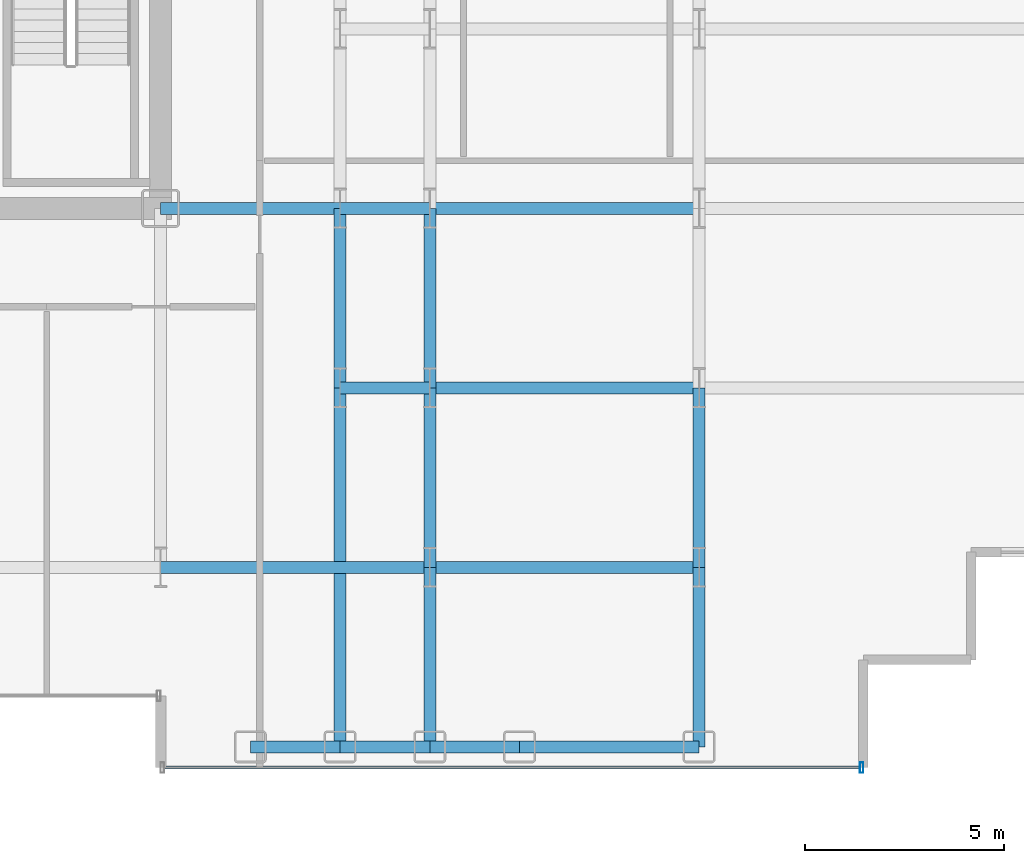
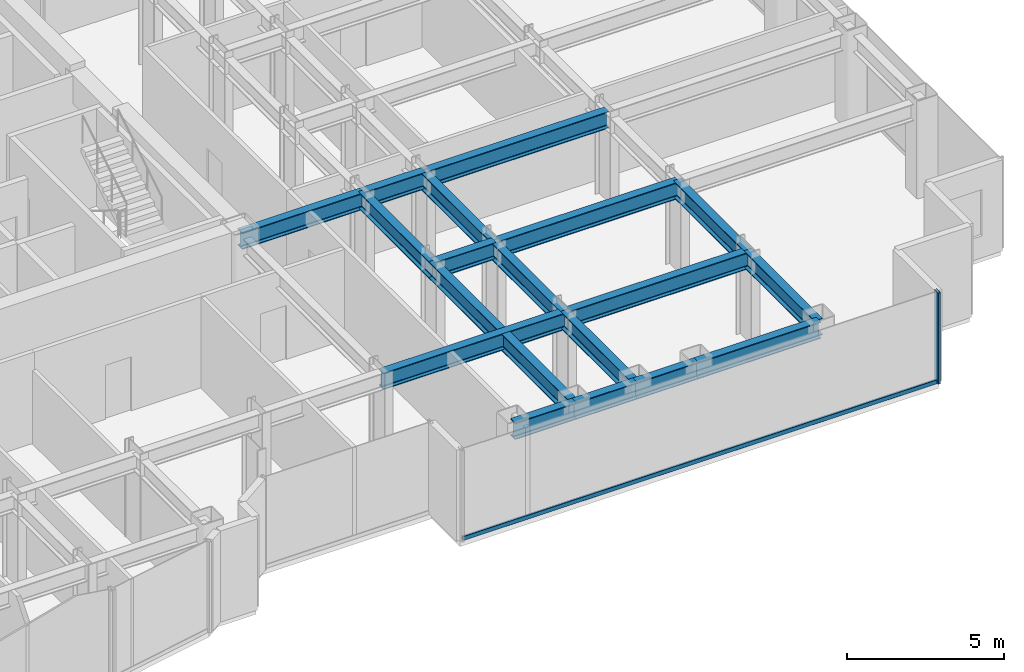
# One storey, part 7 of 26: 18 beams, 2 members, 1 element without a shape of its own.
"""IFC4 building model written with IfcOpenShell, lengths in metres."""

from ifc_helpers import new_model, si_unit, direction, frame, origin, origin_2d, place, context, subcontext, project, spatial, hollow_rectangle, i_section, extrude, source, transform, mapped, material, layer, layer_set, material_profile, profile_set, type_object, element, aggregate, save


model = new_model("IFC4")

# Units and contexts
model_context = context("Model", 3, precision=1e-05, world=origin(), true_north=direction((0.0, 1.0)))
body_context = subcontext(model_context, "Body", "Model", "MODEL_VIEW")
ifc_project = project(units=[si_unit("LENGTHUNIT", "METRE"), si_unit("AREAUNIT", "SQUARE_METRE"), si_unit("VOLUMEUNIT", "CUBIC_METRE"), si_unit("PLANEANGLEUNIT", "RADIAN"), si_unit("MASSUNIT", "GRAM", prefix="KILO")], contexts=[model_context])

# Site, building, storey
site_placement = place(None, origin())
site = spatial("IfcSite", under=ifc_project, at=site_placement, CompositionType="ELEMENT")
building_placement = place(site_placement, origin())
building = spatial("IfcBuilding", under=site, at=building_placement, Name="Nefas-Gora Pilgrimage Tower", CompositionType="ELEMENT")
storey_placement = place(building_placement, frame((0.0, 0.0, 121.199951171875)))
storey = spatial("IfcBuildingStorey", under=building, at=storey_placement, Name="L29", CompositionType="ELEMENT", Elevation=121.199951171875)

# Beams
ifc_material_1 = material(Name="Steel S355", Category="steel")
ifc_material_profile_1 = material_profile(ifc_material_1, i_section(OverallWidth=0.300048828125, OverallDepth=0.64990234375, WebThickness=0.01611328125, FlangeThickness=0.031005859375, FilletRadius=0.027099609375, at=origin_2d()), Name="HEB 650")
ifc_profile_set_1 = profile_set([ifc_material_profile_1], Name="Steel S355")
beam_type_1 = type_object("IfcBeamType", Name="BM-SPN-HEB500", PredefinedType="SPANDREL", material=ifc_profile_set_1)
shared_shape_1 = source(origin(), body_context, "Body", "SweptSolid", [
    extrude(i_section(OverallWidth=0.300048828125, OverallDepth=0.64990234375, WebThickness=0.01611328125, FlangeThickness=0.031005859375, FilletRadius=0.027099609375, at=origin_2d()), origin(), (0.0, 0.0, 1.0), 4.5),
])
beam_1_placement = place(storey_placement, frame((20.25, -22.5, 3.22509765625), z_axis=(1.0, 0.0, 0.0), x_axis=(0.0, 1.0, 0.0)))
element("IfcBeam", 1, at=beam_1_placement, inside=storey, type_object=beam_type_1, Name="L29 SP-02 beam", PredefinedType="SPANDREL", context=body_context, shape_type="MappedRepresentation", body=[
    mapped(shared_shape_1, transform((0.0, 0.0, 0.0), x_axis=(1.0, 0.0, 0.0), y_axis=(0.0, 1.0, 0.0), z_axis=(0.0, 0.0, 1.0), scale=1.0)),
])
ifc_material_profile_2 = material_profile(ifc_material_1, i_section(OverallWidth=0.300048828125, OverallDepth=0.64990234375, WebThickness=0.01611328125, FlangeThickness=0.031005859375, FilletRadius=0.027099609375, at=origin_2d()), Name="HEB 650")
ifc_profile_set_2 = profile_set([ifc_material_profile_2], Name="Steel S355")
beam_type_2 = type_object("IfcBeamType", Name="BM-GIR-HEB650", PredefinedType="BEAM", material=ifc_profile_set_2)
shared_shape_2 = source(origin(), body_context, "Body", "SweptSolid", [
    extrude(i_section(OverallWidth=0.300048828125, OverallDepth=0.64990234375, WebThickness=0.01611328125, FlangeThickness=0.031005859375, FilletRadius=0.027099609375, at=origin_2d()), origin(), (0.0, 0.0, 1.0), 9.0),
])
beam_2_placement = place(storey_placement, frame((15.75, -22.5, 3.22509765625), z_axis=(0.0, 1.0, 0.0), x_axis=(-1.0, 0.0, 0.0)))
element("IfcBeam", 2, at=beam_2_placement, inside=storey, type_object=beam_type_2, Name="L29 G-03 beam", PredefinedType="BEAM", context=body_context, shape_type="MappedRepresentation", body=[
    mapped(shared_shape_2, transform((0.0, 0.0, 0.0), x_axis=(1.0, 0.0, 0.0), y_axis=(0.0, 1.0, 0.0), z_axis=(0.0, 0.0, 1.0), scale=1.0)),
])
shared_shape_3 = source(origin(), body_context, "Body", "SweptSolid", [
    extrude(i_section(OverallWidth=0.300048828125, OverallDepth=0.64990234375, WebThickness=0.01611328125, FlangeThickness=0.031005859375, FilletRadius=0.027099609375, at=origin_2d()), origin(), (0.0, 0.0, 1.0), 4.5),
])
for number, where, z_axis, x_axis, name in (
    (3, (11.25, -9.0, 3.22509765625), (1.0, 0.0, 0.0), (0.0, 1.0, 0.0), "L29 G-03 beam"),
    (4, (15.75, -13.5, 3.22509765625), (0.0, 1.0, 0.0), (-1.0, 0.0, 0.0), "L29 G-03 beam"),
    (5, (18.0, -22.5, 3.22509765625), (0.0, 1.0, 0.0), (-1.0, 0.0, 0.0), "L29 G-03 beam"),
    (6, (18.0, -18.0, 3.22509765625), (0.0, 1.0, 0.0), (-1.0, 0.0, 0.0), "L29 G-03 beam"),
    (7, (18.0, -13.5, 3.22509765625), (0.0, 1.0, 0.0), (-1.0, 0.0, 0.0), "L29 G-03 beam"),
    (8, (24.75, -22.5, 3.22509765625), (0.0, 1.0, 0.0), (-1.0, 0.0, 0.0), "L29 G-03 beam"),
    (9, (24.75, -18.0, 3.22509765625), (0.0, 1.0, 0.0), (-1.0, 0.0, 0.0), "L29 G-03 beam"),
):
    element("IfcBeam", number, at=place(storey_placement, frame(where, z_axis=z_axis, x_axis=x_axis)), inside=storey, type_object=beam_type_2, Name=name, PredefinedType="BEAM", context=body_context, shape_type="MappedRepresentation", body=[
        mapped(shared_shape_3, transform((0.0, 0.0, 0.0), x_axis=(1.0, 0.0, 0.0), y_axis=(0.0, 1.0, 0.0), z_axis=(0.0, 0.0, 1.0), scale=1.0)),
    ])
shared_shape_4 = source(origin(), body_context, "Body", "SweptSolid", [
    extrude(i_section(OverallWidth=0.300048828125, OverallDepth=0.64990234375, WebThickness=0.01611328125, FlangeThickness=0.031005859375, FilletRadius=0.027099609375, at=origin_2d()), origin(), (0.0, 0.0, 1.0), 6.75),
])
for number, where, z_axis, x_axis, name in (
    (10, (11.25, -18.0, 3.22509765625), (1.0, 0.0, 0.0), (0.0, 1.0, 0.0), "L29 G-03 beam"),
    (11, (18.0, -18.0, 3.22509765625), (1.0, 0.0, 0.0), (0.0, 1.0, 0.0), "L29 G-03 beam"),
    (12, (18.0, -13.5, 3.22509765625), (1.0, 0.0, 0.0), (0.0, 1.0, 0.0), "L29 G-03 beam"),
    (13, (18.0, -9.0, 3.22509765625), (1.0, 0.0, 0.0), (0.0, 1.0, 0.0), "L29 G-03 beam"),
):
    element("IfcBeam", number, at=place(storey_placement, frame(where, z_axis=z_axis, x_axis=x_axis)), inside=storey, type_object=beam_type_2, Name=name, PredefinedType="BEAM", context=body_context, shape_type="MappedRepresentation", body=[
        mapped(shared_shape_4, transform((0.0, 0.0, 0.0), x_axis=(1.0, 0.0, 0.0), y_axis=(0.0, 1.0, 0.0), z_axis=(0.0, 0.0, 1.0), scale=1.0)),
    ])
shared_shape_5 = source(origin(), body_context, "Body", "SweptSolid", [
    extrude(i_section(OverallWidth=0.300048828125, OverallDepth=0.64990234375, WebThickness=0.01611328125, FlangeThickness=0.031005859375, FilletRadius=0.027099609375, at=origin_2d()), origin(), (0.0, 0.0, 1.0), 2.25),
])
for number, where, z_axis, x_axis, name in (
    (14, (13.5, -22.5, 3.22509765625), (1.0, 0.0, 0.0), (0.0, 1.0, 0.0), "L29 SP-02 beam"),
    (15, (15.75, -22.5, 3.22509765625), (1.0, 0.0, 0.0), (0.0, 1.0, 0.0), "L29 SP-02 beam"),
    (16, (18.0, -22.5, 3.22509765625), (1.0, 0.0, 0.0), (0.0, 1.0, 0.0), "L29 SP-02 beam"),
):
    element("IfcBeam", number, at=place(storey_placement, frame(where, z_axis=z_axis, x_axis=x_axis)), inside=storey, type_object=beam_type_1, Name=name, PredefinedType="SPANDREL", context=body_context, shape_type="MappedRepresentation", body=[
        mapped(shared_shape_5, transform((0.0, 0.0, 0.0), x_axis=(1.0, 0.0, 0.0), y_axis=(0.0, 1.0, 0.0), z_axis=(0.0, 0.0, 1.0), scale=1.0)),
    ])
shared_shape_6 = source(origin(), body_context, "Body", "SweptSolid", [
    extrude(i_section(OverallWidth=0.300048828125, OverallDepth=0.64990234375, WebThickness=0.01611328125, FlangeThickness=0.031005859375, FilletRadius=0.027099609375, at=origin_2d()), origin(), (0.0, 0.0, 1.0), 2.25),
])
for number, where, z_axis, x_axis, name in (
    (17, (15.75, -13.5, 3.22509765625), (1.0, 0.0, 0.0), (0.0, 1.0, 0.0), "L29 G-03 beam"),
    (18, (15.75, -9.0, 3.22509765625), (1.0, 0.0, 0.0), (0.0, 1.0, 0.0), "L29 G-03 beam"),
):
    element("IfcBeam", number, at=place(storey_placement, frame(where, z_axis=z_axis, x_axis=x_axis)), inside=storey, type_object=beam_type_2, Name=name, PredefinedType="BEAM", context=body_context, shape_type="MappedRepresentation", body=[
        mapped(shared_shape_6, transform((0.0, 0.0, 0.0), x_axis=(1.0, 0.0, 0.0), y_axis=(0.0, 1.0, 0.0), z_axis=(0.0, 0.0, 1.0), scale=1.0)),
    ])

# Curtain wall, members
ifc_material_2 = material(Name="Dark ceramic-fritted solar-control aluminium-glass curtain wall", Category="aluminium")
ifc_layer = layer(ifc_material_2, 0.219970703125)
ifc_layer_set = layer_set([ifc_layer], Name="Dark ceramic-fritted solar-control aluminium-glass curtain wall")
curtain_wall_type = type_object("IfcCurtainWallType", Name="CW-SYS-2", PredefinedType="NOTDEFINED", material=ifc_layer_set)
curtain_wall_placement = place(storey_placement, origin())
curtain_wall = element("IfcCurtainWall", 19, at=curtain_wall_placement, inside=storey, type_object=curtain_wall_type, Name="L29 Unitised Curtain Wall CW2", PredefinedType="NOTDEFINED")
ifc_material_3 = material(Name="Anodised architectural aluminium", Category="aluminium")
ifc_material_profile_3 = material_profile(ifc_material_3, hollow_rectangle(XDim=0.090087890625, YDim=0.260009765625, WallThickness=0.006103515625, InnerFilletRadius=0.006103515625, OuterFilletRadius=0.011962890625, at=origin_2d()), Name="ALU MULLION 90x260")
ifc_profile_set_3 = profile_set([ifc_material_profile_3], Name="Anodised architectural aluminium")
member_type_1 = type_object("IfcMemberType", Name="CWM-MUL-2", PredefinedType="MULLION", material=ifc_profile_set_3)
shared_shape_7 = source(origin(), body_context, "Body", "SweptSolid", [
    extrude(hollow_rectangle(XDim=0.090087890625, YDim=0.260009765625, WallThickness=0.006103515625, InnerFilletRadius=0.006103515625, OuterFilletRadius=0.011962890625, at=origin_2d()), origin(), (0.0, 0.0, 1.0), 3.550048828125),
])
member_1_placement = place(storey_placement, frame((28.824951171875, -23.02001953125, 0.0), z_axis=(0.0, 0.0, 1.0), x_axis=(1.0, 0.0, 0.0)))
member_1 = element("IfcMember", 20, at=member_1_placement, type_object=member_type_1, Name="CW2 Mullion 2", PredefinedType="MULLION", context=body_context, shape_type="MappedRepresentation", body=[
    mapped(shared_shape_7, transform((0.0, 0.0, 0.0), x_axis=(1.0, 0.0, 0.0), y_axis=(0.0, 1.0, 0.0), z_axis=(0.0, 0.0, 1.0), scale=1.0)),
])
ifc_material_profile_4 = material_profile(ifc_material_3, hollow_rectangle(XDim=0.080078125, YDim=0.159912109375, WallThickness=0.00439453125, InnerFilletRadius=0.00439453125, OuterFilletRadius=0.009033203125, at=origin_2d()), Name="ALU TRANSOM 80x160")
ifc_profile_set_4 = profile_set([ifc_material_profile_4], Name="Anodised architectural aluminium")
member_type_2 = type_object("IfcMemberType", Name="CWM-TRN-2", PredefinedType="USERDEFINED", material=ifc_profile_set_4)
shared_shape_8 = source(origin(), body_context, "Body", "SweptSolid", [
    extrude(hollow_rectangle(XDim=0.080078125, YDim=0.159912109375, WallThickness=0.00439453125, InnerFilletRadius=0.00439453125, OuterFilletRadius=0.009033203125, at=origin_2d()), origin(), (0.0, 0.0, 1.0), 17.43994140625),
])
member_2_placement = place(storey_placement, frame((11.340087890625, -23.02001953125, 0.050048828125), z_axis=(1.0, 0.0, 0.0), x_axis=(0.0, 1.0, 0.0)))
member_2 = element("IfcMember", 21, at=member_2_placement, type_object=member_type_2, Name="CW2 Spandrel Transom", ObjectType="TRANSOM", PredefinedType="USERDEFINED", context=body_context, shape_type="MappedRepresentation", body=[
    mapped(shared_shape_8, transform((0.0, 0.0, 0.0), x_axis=(1.0, 0.0, 0.0), y_axis=(0.0, 1.0, 0.0), z_axis=(0.0, 0.0, 1.0), scale=1.0)),
])
aggregate(curtain_wall, [member_1, member_2])

save(model, "model.ifc")
